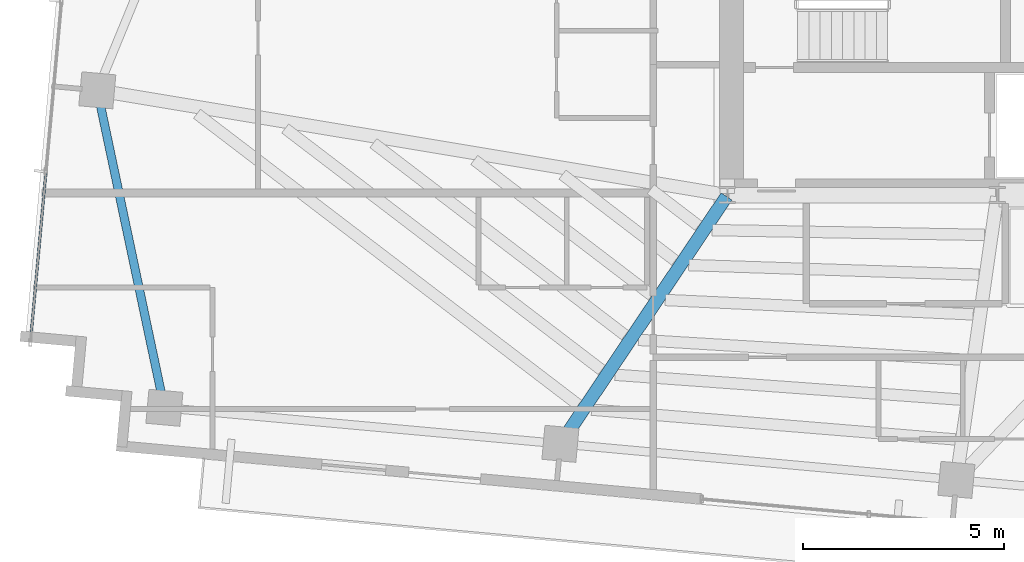
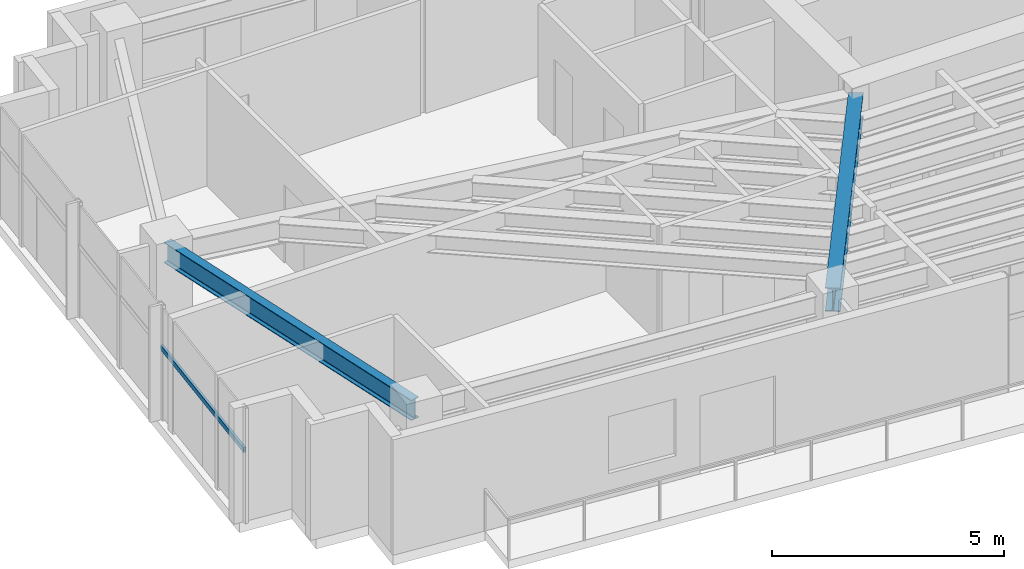
# One storey, part 3 of 22: 2 beams, 1 member, 1 element without a shape of its own.
"""IFC4 building model written with IfcOpenShell, lengths in metres."""

from ifc_helpers import new_model, si_unit, direction, frame, origin, origin_2d, place, context, subcontext, project, spatial, hollow_rectangle, i_section, extrude, source, transform, mapped, material, material_profile, profile_set, type_object, type_shapes, element, aggregate, save


model = new_model("IFC4")

# Units and contexts
model_context = context("Model", 3, precision=1e-05, world=origin(), true_north=direction((0.0, 1.0)))
body_context = subcontext(model_context, "Body", "Model", "MODEL_VIEW")
ifc_project = project(units=[si_unit("LENGTHUNIT", "METRE"), si_unit("AREAUNIT", "SQUARE_METRE"), si_unit("VOLUMEUNIT", "CUBIC_METRE"), si_unit("PLANEANGLEUNIT", "RADIAN"), si_unit("MASSUNIT", "GRAM", prefix="KILO")], contexts=[model_context])

# Site, building, storey
site_placement = place(None, origin())
site = spatial("IfcSite", under=ifc_project, at=site_placement, CompositionType="ELEMENT")
building_placement = place(site_placement, origin())
building = spatial("IfcBuilding", under=site, at=building_placement, Name="Astriad Promenade Condominiums", CompositionType="ELEMENT")
storey_placement = place(building_placement, frame((0.0, 0.0, 229.800048828125)))
storey = spatial("IfcBuildingStorey", under=building, at=storey_placement, Name="L66", CompositionType="ELEMENT", Elevation=229.800048828125)

# Beams
ifc_material_1 = material(Name="Steel ASTM A992 Grade 50", Category="steel")
ifc_material_profile_1 = material_profile(ifc_material_1, i_section(OverallWidth=0.210693359375, OverallDepth=0.53955078125, WebThickness=0.01171875, FlangeThickness=0.018798828125, FilletRadius=0.0166015625, at=origin_2d()), Name="W21X73")
ifc_profile_set_1 = profile_set([ifc_material_profile_1], Name="Steel ASTM A992 Grade 50")
beam_type_1 = type_object("IfcBeamType", Name="STEEL SPANDREL BEAM W21X73", PredefinedType="SPANDREL", material=ifc_profile_set_1)
shared_shape_1 = source(origin(), body_context, "Body", "SweptSolid", [
    extrude(i_section(OverallWidth=0.210693359375, OverallDepth=0.53955078125, WebThickness=0.01171875, FlangeThickness=0.018798828125, FilletRadius=0.0166015625, at=origin_2d()), origin(), (0.0, 0.0, 1.0), 7.99853515625),
])
type_shapes(beam_type_1, [shared_shape_1])
beam_1_placement = place(storey_placement, frame((10.719482421875, 19.97119140625, 2.770263671875), z_axis=(0.206793407277, -0.978384631271, 0.0), x_axis=(0.978384631271, 0.206793407277, 0.0)))
element("IfcBeam", 1, at=beam_1_placement, inside=storey, type_object=beam_type_1, Name="Perimeter Spandrel Beam SP-W1-L66", PredefinedType="SPANDREL", context=body_context, shape_type="MappedRepresentation", body=[
    mapped(shared_shape_1, transform((0.0, 0.0, 0.0), scale=1.0)),
])
ifc_material_profile_2 = material_profile(ifc_material_1, i_section(OverallWidth=0.326416015625, OverallDepth=0.621826171875, WebThickness=0.015380859375, FlangeThickness=0.0244140625, FilletRadius=0.017822265625, at=origin_2d()), Name="W24X131")
ifc_profile_set_2 = profile_set([ifc_material_profile_2], Name="Steel ASTM A992 Grade 50")
beam_type_2 = type_object("IfcBeamType", Name="STEEL FLOOR GIRDER W24X131", PredefinedType="BEAM", material=ifc_profile_set_2)
shared_shape_2 = source(origin(), body_context, "Body", "SweptSolid", [
    extrude(i_section(OverallWidth=0.326416015625, OverallDepth=0.621826171875, WebThickness=0.015380859375, FlangeThickness=0.0244140625, FilletRadius=0.017822265625, at=origin_2d()), origin(), (0.0, 0.0, 1.0), 7.378173828125),
])
type_shapes(beam_type_2, [shared_shape_2])
beam_2_placement = place(storey_placement, frame((22.263427734375, 11.2421875, 2.72900390625), z_axis=(0.55762901545, 0.830090284926, 0.0), x_axis=(-0.830090284926, 0.55762901545, 0.0)))
element("IfcBeam", 2, at=beam_2_placement, inside=storey, type_object=beam_type_2, Name="Primary Floor Girder PG-W2-L66", PredefinedType="BEAM", context=body_context, shape_type="MappedRepresentation", body=[
    mapped(shared_shape_2, transform((0.0, 0.0, 0.0), scale=1.0)),
])

# Curtain wall, member
ifc_material_2 = material(Name="Anodised aluminium Black Dark Glass Unitised", Category="aluminium")
curtain_wall_type = type_object("IfcCurtainWallType", Name="CW-B5-DARK", PredefinedType="USERDEFINED", material=ifc_material_2)
curtain_wall_placement = place(storey_placement, origin())
curtain_wall = element("IfcCurtainWall", 3, at=curtain_wall_placement, inside=storey, type_object=curtain_wall_type, Name="CW-L66-W", ObjectType="UNITISED_CURTAIN_WALL", PredefinedType="USERDEFINED")
ifc_material_3 = material(Name="Anodised aluminium 6063-T6 Black", Category="aluminium")
ifc_material_profile_3 = material_profile(ifc_material_3, hollow_rectangle(XDim=0.06494140625, YDim=0.1298828125, WallThickness=0.00390625, at=origin_2d()), Name="ALU-TRN-65X130")
ifc_profile_set_3 = profile_set([ifc_material_profile_3], Name="Anodised aluminium 6063-T6 Black")
member_type = type_object("IfcMemberType", Name="TRN-ALU-TRN-65X130", PredefinedType="USERDEFINED", material=ifc_profile_set_3)
shared_shape_3 = source(origin(), body_context, "Body", "SweptSolid", [
    extrude(hollow_rectangle(XDim=0.06494140625, YDim=0.1298828125, WallThickness=0.00390625, at=origin_2d()), origin(), (0.0, 0.0, 1.0), 4.2666015625),
])
type_shapes(member_type, [shared_shape_3])
member_placement = place(storey_placement, frame((9.0458984375, 13.7353515625, 1.884765625), z_axis=(0.090638931954, 0.99588382054, 0.0), x_axis=(-0.99588382054, 0.090638931954, 0.0)))
member = element("IfcMember", 4, at=member_placement, type_object=member_type, Name="CW-L66-W-TRN-00-0", ObjectType="TRANSOM", PredefinedType="USERDEFINED", context=body_context, shape_type="MappedRepresentation", body=[
    mapped(shared_shape_3, transform((0.0, 0.0, 0.0), scale=1.0)),
])
aggregate(curtain_wall, [member])

save(model, "model.ifc")
